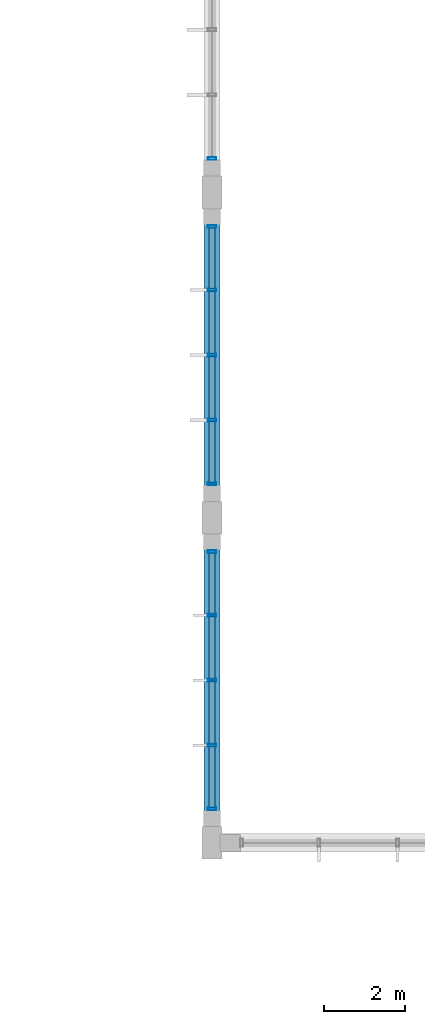
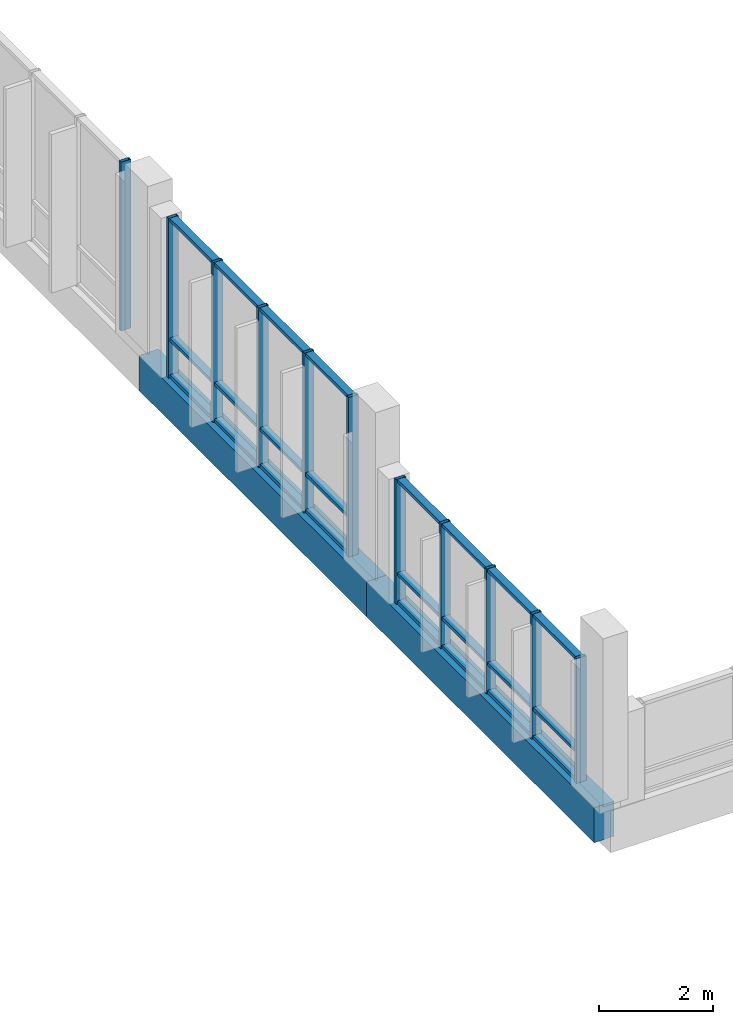
# One storey, part 34 of 189: 35 members, 2 beams, 3 elements without a shape of their own.
"""IFC4 building model written with IfcOpenShell, lengths in metres."""

from ifc_helpers import new_model, si_unit, direction, frame, origin, origin_2d, place, context, subcontext, project, spatial, rectangle, hollow_rectangle, extrude, material, material_profile, profile_set, type_object, element, aggregate, save


model = new_model("IFC4")

# Units and contexts
model_context = context("Model", 3, precision=1e-05, world=origin(), true_north=direction((0.0, 1.0)))
body_context = subcontext(model_context, "Body", "Model", "MODEL_VIEW")
ifc_project = project(units=[si_unit("LENGTHUNIT", "METRE"), si_unit("AREAUNIT", "SQUARE_METRE"), si_unit("VOLUMEUNIT", "CUBIC_METRE"), si_unit("PLANEANGLEUNIT", "RADIAN"), si_unit("MASSUNIT", "GRAM", prefix="KILO")], contexts=[model_context])

# Site, building, storey
site_placement = place(None, origin())
site = spatial("IfcSite", under=ifc_project, at=site_placement, CompositionType="ELEMENT")
building_placement = place(site_placement, origin())
building = spatial("IfcBuilding", under=site, at=building_placement, Name="Zavelmont Quarter", CompositionType="ELEMENT")
storey_placement = place(building_placement, frame((0.0, 0.0, 4.39990234375)))
storey = spatial("IfcBuildingStorey", under=building, at=storey_placement, Name="L01", CompositionType="ELEMENT", Elevation=4.39990234375)

# Beams
ifc_material_1 = material(Name="Concrete C40/50", Category="concrete")
ifc_material_profile_1 = material_profile(ifc_material_1, rectangle(XDim=0.39990234375, YDim=0.75, at=origin_2d()), Name="RC400X750")
ifc_profile_set_1 = profile_set([ifc_material_profile_1], Name="Concrete C40/50")
beam_type = type_object("IfcBeamType", Name="BM05", PredefinedType="BEAM", material=ifc_profile_set_1)
for number, where, z_axis, x_axis, name in (
    (1, (55.199951171875, 30.0, -0.65478515625), (0.0, 1.0, 0.0), (-1.0, 0.0, 0.0), "L01 beam BM05 9/F to 9/G"),
    (2, (55.199951171875, 38.0, -0.65478515625), (0.0, 1.0, 0.0), (-1.0, 0.0, 0.0), "L01 beam BM05 9/G to 9/H"),
):
    element("IfcBeam", number, at=place(storey_placement, frame(where, z_axis=z_axis, x_axis=x_axis)), inside=storey, type_object=beam_type, Name=name, PredefinedType="BEAM", context=body_context, shape_type="SweptSolid", body=[
        extrude(rectangle(XDim=0.39990234375, YDim=0.75, at=origin_2d()), origin(), (0.0, 0.0, 1.0), 8.0),
    ])

# Curtain wall, members
ifc_material_2 = material(Name="Thermally broken aluminium and double low-E safety glazing", Category="aluminium")
curtain_wall_type_1 = type_object("IfcCurtainWallType", Name="CW-640X268", PredefinedType="NOTDEFINED", material=ifc_material_2)
curtain_wall_1_placement = place(storey_placement, origin())
curtain_wall_1 = element("IfcCurtainWall", 3, at=curtain_wall_1_placement, inside=storey, type_object=curtain_wall_type_1, Name="L01 unitised curtain wall CW-640X268", PredefinedType="NOTDEFINED")
ifc_material_3 = material(Name="Powder-coated aluminium EN AW-6063-T6", Category="aluminium")
ifc_material_profile_2 = material_profile(ifc_material_3, hollow_rectangle(XDim=0.070068359375, YDim=0.199951171875, WallThickness=0.0048828125, at=origin_2d()), Name="CWM70X200")
ifc_profile_set_2 = profile_set([ifc_material_profile_2], Name="Powder-coated aluminium EN AW-6063-T6")
member_type_1 = type_object("IfcMemberType", Name="CWM02", PredefinedType="MULLION", material=ifc_profile_set_2)
member_1_placement = place(storey_placement, frame((55.199951171875, 30.8349609375, -0.27978515625), z_axis=(0.0, 0.0, 1.0), x_axis=(0.0, 1.0, 0.0)))
member_1 = element("IfcMember", 4, at=member_1_placement, type_object=member_type_1, Name="CW-640X268 mullion 1", PredefinedType="MULLION", context=body_context, shape_type="SweptSolid", body=[
    extrude(hollow_rectangle(XDim=0.070068359375, YDim=0.199951171875, WallThickness=0.0048828125, at=origin_2d()), origin(), (0.0, 0.0, 1.0), 2.6748046875),
])
member_2_placement = place(storey_placement, frame((55.199951171875, 32.39990234375, -0.27978515625), z_axis=(0.0, 0.0, 1.0), x_axis=(0.0, 1.0, 0.0)))
member_2 = element("IfcMember", 5, at=member_2_placement, type_object=member_type_1, Name="CW-640X268 mullion 2", PredefinedType="MULLION", context=body_context, shape_type="SweptSolid", body=[
    extrude(hollow_rectangle(XDim=0.070068359375, YDim=0.199951171875, WallThickness=0.0048828125, at=origin_2d()), origin(), (0.0, 0.0, 1.0), 2.6748046875),
])
member_3_placement = place(storey_placement, frame((55.199951171875, 34.0, -0.27978515625), z_axis=(0.0, 0.0, 1.0), x_axis=(0.0, 1.0, 0.0)))
member_3 = element("IfcMember", 6, at=member_3_placement, type_object=member_type_1, Name="CW-640X268 mullion 3", PredefinedType="MULLION", context=body_context, shape_type="SweptSolid", body=[
    extrude(hollow_rectangle(XDim=0.070068359375, YDim=0.199951171875, WallThickness=0.0048828125, at=origin_2d()), origin(), (0.0, 0.0, 1.0), 2.6748046875),
])
member_4_placement = place(storey_placement, frame((55.199951171875, 35.60009765625, -0.27978515625), z_axis=(0.0, 0.0, 1.0), x_axis=(0.0, 1.0, 0.0)))
member_4 = element("IfcMember", 7, at=member_4_placement, type_object=member_type_1, Name="CW-640X268 mullion 4", PredefinedType="MULLION", context=body_context, shape_type="SweptSolid", body=[
    extrude(hollow_rectangle(XDim=0.070068359375, YDim=0.199951171875, WallThickness=0.0048828125, at=origin_2d()), origin(), (0.0, 0.0, 1.0), 2.6748046875),
])
member_5_placement = place(storey_placement, frame((55.199951171875, 37.1650390625, -0.27978515625), z_axis=(0.0, 0.0, 1.0), x_axis=(0.0, 1.0, 0.0)))
member_5 = element("IfcMember", 8, at=member_5_placement, type_object=member_type_1, Name="CW-640X268 mullion 5", PredefinedType="MULLION", context=body_context, shape_type="SweptSolid", body=[
    extrude(hollow_rectangle(XDim=0.070068359375, YDim=0.199951171875, WallThickness=0.0048828125, at=origin_2d()), origin(), (0.0, 0.0, 1.0), 2.6748046875),
])

curtain_wall_type_2 = type_object("IfcCurtainWallType", Name="CW-640X342", PredefinedType="NOTDEFINED", material=ifc_material_2)
curtain_wall_2_placement = place(storey_placement, origin())
curtain_wall_2 = element("IfcCurtainWall", 9, at=curtain_wall_2_placement, inside=storey, type_object=curtain_wall_type_2, Name="L01 unitised curtain wall CW-640X342", PredefinedType="NOTDEFINED")
member_6_placement = place(storey_placement, frame((55.199951171875, 38.8349609375, -0.27978515625), z_axis=(0.0, 0.0, 1.0), x_axis=(0.0, 1.0, 0.0)))
member_6 = element("IfcMember", 10, at=member_6_placement, type_object=member_type_1, Name="CW-640X342 mullion 1", PredefinedType="MULLION", context=body_context, shape_type="SweptSolid", body=[
    extrude(hollow_rectangle(XDim=0.070068359375, YDim=0.199951171875, WallThickness=0.0048828125, at=origin_2d()), origin(), (0.0, 0.0, 1.0), 3.4248046875),
])
member_7_placement = place(storey_placement, frame((55.199951171875, 40.39990234375, -0.27978515625), z_axis=(0.0, 0.0, 1.0), x_axis=(0.0, 1.0, 0.0)))
member_7 = element("IfcMember", 11, at=member_7_placement, type_object=member_type_1, Name="CW-640X342 mullion 2", PredefinedType="MULLION", context=body_context, shape_type="SweptSolid", body=[
    extrude(hollow_rectangle(XDim=0.070068359375, YDim=0.199951171875, WallThickness=0.0048828125, at=origin_2d()), origin(), (0.0, 0.0, 1.0), 3.4248046875),
])
member_8_placement = place(storey_placement, frame((55.199951171875, 42.0, -0.27978515625), z_axis=(0.0, 0.0, 1.0), x_axis=(0.0, 1.0, 0.0)))
member_8 = element("IfcMember", 12, at=member_8_placement, type_object=member_type_1, Name="CW-640X342 mullion 3", PredefinedType="MULLION", context=body_context, shape_type="SweptSolid", body=[
    extrude(hollow_rectangle(XDim=0.070068359375, YDim=0.199951171875, WallThickness=0.0048828125, at=origin_2d()), origin(), (0.0, 0.0, 1.0), 3.4248046875),
])
member_9_placement = place(storey_placement, frame((55.199951171875, 43.60009765625, -0.27978515625), z_axis=(0.0, 0.0, 1.0), x_axis=(0.0, 1.0, 0.0)))
member_9 = element("IfcMember", 13, at=member_9_placement, type_object=member_type_1, Name="CW-640X342 mullion 4", PredefinedType="MULLION", context=body_context, shape_type="SweptSolid", body=[
    extrude(hollow_rectangle(XDim=0.070068359375, YDim=0.199951171875, WallThickness=0.0048828125, at=origin_2d()), origin(), (0.0, 0.0, 1.0), 3.4248046875),
])
member_10_placement = place(storey_placement, frame((55.199951171875, 45.1650390625, -0.27978515625), z_axis=(0.0, 0.0, 1.0), x_axis=(0.0, 1.0, 0.0)))
member_10 = element("IfcMember", 14, at=member_10_placement, type_object=member_type_1, Name="CW-640X342 mullion 5", PredefinedType="MULLION", context=body_context, shape_type="SweptSolid", body=[
    extrude(hollow_rectangle(XDim=0.070068359375, YDim=0.199951171875, WallThickness=0.0048828125, at=origin_2d()), origin(), (0.0, 0.0, 1.0), 3.4248046875),
])

# Curtain wall, member
curtain_wall_type_3 = type_object("IfcCurtainWallType", Name="CW-640X362", PredefinedType="NOTDEFINED", material=ifc_material_2)
curtain_wall_3_placement = place(storey_placement, origin())
curtain_wall_3 = element("IfcCurtainWall", 15, at=curtain_wall_3_placement, inside=storey, type_object=curtain_wall_type_3, Name="L01 unitised curtain wall CW-640X362", PredefinedType="NOTDEFINED")
member_11_placement = place(storey_placement, frame((55.199951171875, 46.8349609375, -0.27978515625), z_axis=(0.0, 0.0, 1.0), x_axis=(0.0, 1.0, 0.0)))
member_11 = element("IfcMember", 16, at=member_11_placement, type_object=member_type_1, Name="CW-640X362 mullion 1", PredefinedType="MULLION", context=body_context, shape_type="SweptSolid", body=[
    extrude(hollow_rectangle(XDim=0.070068359375, YDim=0.199951171875, WallThickness=0.0048828125, at=origin_2d()), origin(), (0.0, 0.0, 1.0), 3.619873046875),
])
aggregate(curtain_wall_3, [member_11])

# Member
ifc_material_profile_3 = material_profile(ifc_material_3, hollow_rectangle(XDim=0.14990234375, YDim=0.070068359375, WallThickness=0.00439453125, at=origin_2d()), Name="CWT70X150")
ifc_profile_set_3 = profile_set([ifc_material_profile_3], Name="Powder-coated aluminium EN AW-6063-T6")
member_type_2 = type_object("IfcMemberType", Name="CWT02", PredefinedType="NOTDEFINED", material=ifc_profile_set_3)
member_12_placement = place(storey_placement, frame((55.199951171875, 30.8701171875, -0.244873046875), z_axis=(0.0, 1.0, 0.0), x_axis=(-1.0, 0.0, 0.0)))
member_12 = element("IfcMember", 17, at=member_12_placement, type_object=member_type_2, Name="CW-640X268 transom 1.1", ObjectType="TRANSOM", PredefinedType="USERDEFINED", context=body_context, shape_type="SweptSolid", body=[
    extrude(hollow_rectangle(XDim=0.14990234375, YDim=0.070068359375, WallThickness=0.00439453125, at=origin_2d()), origin(), (0.0, 0.0, 1.0), 1.494873046875),
])

member_13_placement = place(storey_placement, frame((55.199951171875, 30.8701171875, 0.362060546875), z_axis=(0.0, 1.0, 0.0), x_axis=(-1.0, 0.0, 0.0)))
member_13 = element("IfcMember", 18, at=member_13_placement, type_object=member_type_2, Name="CW-640X268 transom 1.2", ObjectType="TRANSOM", PredefinedType="USERDEFINED", context=body_context, shape_type="SweptSolid", body=[
    extrude(hollow_rectangle(XDim=0.14990234375, YDim=0.070068359375, WallThickness=0.00439453125, at=origin_2d()), origin(), (0.0, 0.0, 1.0), 1.494873046875),
])

member_14_placement = place(storey_placement, frame((55.199951171875, 30.8701171875, 2.360107421875), z_axis=(0.0, 1.0, 0.0), x_axis=(-1.0, 0.0, 0.0)))
member_14 = element("IfcMember", 19, at=member_14_placement, type_object=member_type_2, Name="CW-640X268 transom 1.3", ObjectType="TRANSOM", PredefinedType="USERDEFINED", context=body_context, shape_type="SweptSolid", body=[
    extrude(hollow_rectangle(XDim=0.14990234375, YDim=0.070068359375, WallThickness=0.00439453125, at=origin_2d()), origin(), (0.0, 0.0, 1.0), 1.494873046875),
])

member_15_placement = place(storey_placement, frame((55.199951171875, 32.43505859375, -0.244873046875), z_axis=(0.0, 1.0, 0.0), x_axis=(-1.0, 0.0, 0.0)))
member_15 = element("IfcMember", 20, at=member_15_placement, type_object=member_type_2, Name="CW-640X268 transom 2.1", ObjectType="TRANSOM", PredefinedType="USERDEFINED", context=body_context, shape_type="SweptSolid", body=[
    extrude(hollow_rectangle(XDim=0.14990234375, YDim=0.070068359375, WallThickness=0.00439453125, at=origin_2d()), origin(), (0.0, 0.0, 1.0), 1.530029296875),
])

member_16_placement = place(storey_placement, frame((55.199951171875, 32.43505859375, 0.362060546875), z_axis=(0.0, 1.0, 0.0), x_axis=(-1.0, 0.0, 0.0)))
member_16 = element("IfcMember", 21, at=member_16_placement, type_object=member_type_2, Name="CW-640X268 transom 2.2", ObjectType="TRANSOM", PredefinedType="USERDEFINED", context=body_context, shape_type="SweptSolid", body=[
    extrude(hollow_rectangle(XDim=0.14990234375, YDim=0.070068359375, WallThickness=0.00439453125, at=origin_2d()), origin(), (0.0, 0.0, 1.0), 1.530029296875),
])

member_17_placement = place(storey_placement, frame((55.199951171875, 32.43505859375, 2.360107421875), z_axis=(0.0, 1.0, 0.0), x_axis=(-1.0, 0.0, 0.0)))
member_17 = element("IfcMember", 22, at=member_17_placement, type_object=member_type_2, Name="CW-640X268 transom 2.3", ObjectType="TRANSOM", PredefinedType="USERDEFINED", context=body_context, shape_type="SweptSolid", body=[
    extrude(hollow_rectangle(XDim=0.14990234375, YDim=0.070068359375, WallThickness=0.00439453125, at=origin_2d()), origin(), (0.0, 0.0, 1.0), 1.530029296875),
])

member_18_placement = place(storey_placement, frame((55.199951171875, 34.034912109375, -0.244873046875), z_axis=(0.0, 1.0, 0.0), x_axis=(-1.0, 0.0, 0.0)))
member_18 = element("IfcMember", 23, at=member_18_placement, type_object=member_type_2, Name="CW-640X268 transom 3.1", ObjectType="TRANSOM", PredefinedType="USERDEFINED", context=body_context, shape_type="SweptSolid", body=[
    extrude(hollow_rectangle(XDim=0.14990234375, YDim=0.070068359375, WallThickness=0.00439453125, at=origin_2d()), origin(), (0.0, 0.0, 1.0), 1.530029296875),
])

member_19_placement = place(storey_placement, frame((55.199951171875, 34.034912109375, 0.362060546875), z_axis=(0.0, 1.0, 0.0), x_axis=(-1.0, 0.0, 0.0)))
member_19 = element("IfcMember", 24, at=member_19_placement, type_object=member_type_2, Name="CW-640X268 transom 3.2", ObjectType="TRANSOM", PredefinedType="USERDEFINED", context=body_context, shape_type="SweptSolid", body=[
    extrude(hollow_rectangle(XDim=0.14990234375, YDim=0.070068359375, WallThickness=0.00439453125, at=origin_2d()), origin(), (0.0, 0.0, 1.0), 1.530029296875),
])

member_20_placement = place(storey_placement, frame((55.199951171875, 34.034912109375, 2.360107421875), z_axis=(0.0, 1.0, 0.0), x_axis=(-1.0, 0.0, 0.0)))
member_20 = element("IfcMember", 25, at=member_20_placement, type_object=member_type_2, Name="CW-640X268 transom 3.3", ObjectType="TRANSOM", PredefinedType="USERDEFINED", context=body_context, shape_type="SweptSolid", body=[
    extrude(hollow_rectangle(XDim=0.14990234375, YDim=0.070068359375, WallThickness=0.00439453125, at=origin_2d()), origin(), (0.0, 0.0, 1.0), 1.530029296875),
])

member_21_placement = place(storey_placement, frame((55.199951171875, 35.635009765625, -0.244873046875), z_axis=(0.0, 1.0, 0.0), x_axis=(-1.0, 0.0, 0.0)))
member_21 = element("IfcMember", 26, at=member_21_placement, type_object=member_type_2, Name="CW-640X268 transom 4.1", ObjectType="TRANSOM", PredefinedType="USERDEFINED", context=body_context, shape_type="SweptSolid", body=[
    extrude(hollow_rectangle(XDim=0.14990234375, YDim=0.070068359375, WallThickness=0.00439453125, at=origin_2d()), origin(), (0.0, 0.0, 1.0), 1.494873046875),
])

member_22_placement = place(storey_placement, frame((55.199951171875, 35.635009765625, 0.362060546875), z_axis=(0.0, 1.0, 0.0), x_axis=(-1.0, 0.0, 0.0)))
member_22 = element("IfcMember", 27, at=member_22_placement, type_object=member_type_2, Name="CW-640X268 transom 4.2", ObjectType="TRANSOM", PredefinedType="USERDEFINED", context=body_context, shape_type="SweptSolid", body=[
    extrude(hollow_rectangle(XDim=0.14990234375, YDim=0.070068359375, WallThickness=0.00439453125, at=origin_2d()), origin(), (0.0, 0.0, 1.0), 1.494873046875),
])

member_23_placement = place(storey_placement, frame((55.199951171875, 35.635009765625, 2.360107421875), z_axis=(0.0, 1.0, 0.0), x_axis=(-1.0, 0.0, 0.0)))
member_23 = element("IfcMember", 28, at=member_23_placement, type_object=member_type_2, Name="CW-640X268 transom 4.3", ObjectType="TRANSOM", PredefinedType="USERDEFINED", context=body_context, shape_type="SweptSolid", body=[
    extrude(hollow_rectangle(XDim=0.14990234375, YDim=0.070068359375, WallThickness=0.00439453125, at=origin_2d()), origin(), (0.0, 0.0, 1.0), 1.494873046875),
])

aggregate(curtain_wall_1, [member_1, member_2, member_3, member_4, member_5, member_12, member_13, member_14, member_15, member_16, member_17, member_18, member_19, member_20, member_21, member_22, member_23])

member_24_placement = place(storey_placement, frame((55.199951171875, 38.8701171875, -0.244873046875), z_axis=(0.0, 1.0, 0.0), x_axis=(-1.0, 0.0, 0.0)))
member_24 = element("IfcMember", 29, at=member_24_placement, type_object=member_type_2, Name="CW-640X342 transom 1.1", ObjectType="TRANSOM", PredefinedType="USERDEFINED", context=body_context, shape_type="SweptSolid", body=[
    extrude(hollow_rectangle(XDim=0.14990234375, YDim=0.070068359375, WallThickness=0.00439453125, at=origin_2d()), origin(), (0.0, 0.0, 1.0), 1.494873046875),
])

member_25_placement = place(storey_placement, frame((55.199951171875, 38.8701171875, 0.5419921875), z_axis=(0.0, 1.0, 0.0), x_axis=(-1.0, 0.0, 0.0)))
member_25 = element("IfcMember", 30, at=member_25_placement, type_object=member_type_2, Name="CW-640X342 transom 1.2", ObjectType="TRANSOM", PredefinedType="USERDEFINED", context=body_context, shape_type="SweptSolid", body=[
    extrude(hollow_rectangle(XDim=0.14990234375, YDim=0.070068359375, WallThickness=0.00439453125, at=origin_2d()), origin(), (0.0, 0.0, 1.0), 1.494873046875),
])

member_26_placement = place(storey_placement, frame((55.199951171875, 38.8701171875, 3.110107421875), z_axis=(0.0, 1.0, 0.0), x_axis=(-1.0, 0.0, 0.0)))
member_26 = element("IfcMember", 31, at=member_26_placement, type_object=member_type_2, Name="CW-640X342 transom 1.3", ObjectType="TRANSOM", PredefinedType="USERDEFINED", context=body_context, shape_type="SweptSolid", body=[
    extrude(hollow_rectangle(XDim=0.14990234375, YDim=0.070068359375, WallThickness=0.00439453125, at=origin_2d()), origin(), (0.0, 0.0, 1.0), 1.494873046875),
])

member_27_placement = place(storey_placement, frame((55.199951171875, 40.43505859375, -0.244873046875), z_axis=(0.0, 1.0, 0.0), x_axis=(-1.0, 0.0, 0.0)))
member_27 = element("IfcMember", 32, at=member_27_placement, type_object=member_type_2, Name="CW-640X342 transom 2.1", ObjectType="TRANSOM", PredefinedType="USERDEFINED", context=body_context, shape_type="SweptSolid", body=[
    extrude(hollow_rectangle(XDim=0.14990234375, YDim=0.070068359375, WallThickness=0.00439453125, at=origin_2d()), origin(), (0.0, 0.0, 1.0), 1.530029296875),
])

member_28_placement = place(storey_placement, frame((55.199951171875, 40.43505859375, 0.5419921875), z_axis=(0.0, 1.0, 0.0), x_axis=(-1.0, 0.0, 0.0)))
member_28 = element("IfcMember", 33, at=member_28_placement, type_object=member_type_2, Name="CW-640X342 transom 2.2", ObjectType="TRANSOM", PredefinedType="USERDEFINED", context=body_context, shape_type="SweptSolid", body=[
    extrude(hollow_rectangle(XDim=0.14990234375, YDim=0.070068359375, WallThickness=0.00439453125, at=origin_2d()), origin(), (0.0, 0.0, 1.0), 1.530029296875),
])

member_29_placement = place(storey_placement, frame((55.199951171875, 40.43505859375, 3.110107421875), z_axis=(0.0, 1.0, 0.0), x_axis=(-1.0, 0.0, 0.0)))
member_29 = element("IfcMember", 34, at=member_29_placement, type_object=member_type_2, Name="CW-640X342 transom 2.3", ObjectType="TRANSOM", PredefinedType="USERDEFINED", context=body_context, shape_type="SweptSolid", body=[
    extrude(hollow_rectangle(XDim=0.14990234375, YDim=0.070068359375, WallThickness=0.00439453125, at=origin_2d()), origin(), (0.0, 0.0, 1.0), 1.530029296875),
])

member_30_placement = place(storey_placement, frame((55.199951171875, 42.034912109375, -0.244873046875), z_axis=(0.0, 1.0, 0.0), x_axis=(-1.0, 0.0, 0.0)))
member_30 = element("IfcMember", 35, at=member_30_placement, type_object=member_type_2, Name="CW-640X342 transom 3.1", ObjectType="TRANSOM", PredefinedType="USERDEFINED", context=body_context, shape_type="SweptSolid", body=[
    extrude(hollow_rectangle(XDim=0.14990234375, YDim=0.070068359375, WallThickness=0.00439453125, at=origin_2d()), origin(), (0.0, 0.0, 1.0), 1.530029296875),
])

member_31_placement = place(storey_placement, frame((55.199951171875, 42.034912109375, 0.5419921875), z_axis=(0.0, 1.0, 0.0), x_axis=(-1.0, 0.0, 0.0)))
member_31 = element("IfcMember", 36, at=member_31_placement, type_object=member_type_2, Name="CW-640X342 transom 3.2", ObjectType="TRANSOM", PredefinedType="USERDEFINED", context=body_context, shape_type="SweptSolid", body=[
    extrude(hollow_rectangle(XDim=0.14990234375, YDim=0.070068359375, WallThickness=0.00439453125, at=origin_2d()), origin(), (0.0, 0.0, 1.0), 1.530029296875),
])

member_32_placement = place(storey_placement, frame((55.199951171875, 42.034912109375, 3.110107421875), z_axis=(0.0, 1.0, 0.0), x_axis=(-1.0, 0.0, 0.0)))
member_32 = element("IfcMember", 37, at=member_32_placement, type_object=member_type_2, Name="CW-640X342 transom 3.3", ObjectType="TRANSOM", PredefinedType="USERDEFINED", context=body_context, shape_type="SweptSolid", body=[
    extrude(hollow_rectangle(XDim=0.14990234375, YDim=0.070068359375, WallThickness=0.00439453125, at=origin_2d()), origin(), (0.0, 0.0, 1.0), 1.530029296875),
])

member_33_placement = place(storey_placement, frame((55.199951171875, 43.635009765625, -0.244873046875), z_axis=(0.0, 1.0, 0.0), x_axis=(-1.0, 0.0, 0.0)))
member_33 = element("IfcMember", 38, at=member_33_placement, type_object=member_type_2, Name="CW-640X342 transom 4.1", ObjectType="TRANSOM", PredefinedType="USERDEFINED", context=body_context, shape_type="SweptSolid", body=[
    extrude(hollow_rectangle(XDim=0.14990234375, YDim=0.070068359375, WallThickness=0.00439453125, at=origin_2d()), origin(), (0.0, 0.0, 1.0), 1.494873046875),
])

member_34_placement = place(storey_placement, frame((55.199951171875, 43.635009765625, 0.5419921875), z_axis=(0.0, 1.0, 0.0), x_axis=(-1.0, 0.0, 0.0)))
member_34 = element("IfcMember", 39, at=member_34_placement, type_object=member_type_2, Name="CW-640X342 transom 4.2", ObjectType="TRANSOM", PredefinedType="USERDEFINED", context=body_context, shape_type="SweptSolid", body=[
    extrude(hollow_rectangle(XDim=0.14990234375, YDim=0.070068359375, WallThickness=0.00439453125, at=origin_2d()), origin(), (0.0, 0.0, 1.0), 1.494873046875),
])

member_35_placement = place(storey_placement, frame((55.199951171875, 43.635009765625, 3.110107421875), z_axis=(0.0, 1.0, 0.0), x_axis=(-1.0, 0.0, 0.0)))
member_35 = element("IfcMember", 40, at=member_35_placement, type_object=member_type_2, Name="CW-640X342 transom 4.3", ObjectType="TRANSOM", PredefinedType="USERDEFINED", context=body_context, shape_type="SweptSolid", body=[
    extrude(hollow_rectangle(XDim=0.14990234375, YDim=0.070068359375, WallThickness=0.00439453125, at=origin_2d()), origin(), (0.0, 0.0, 1.0), 1.494873046875),
])

aggregate(curtain_wall_2, [member_6, member_7, member_8, member_9, member_10, member_24, member_25, member_26, member_27, member_28, member_29, member_30, member_31, member_32, member_33, member_34, member_35])

save(model, "model.ifc")
